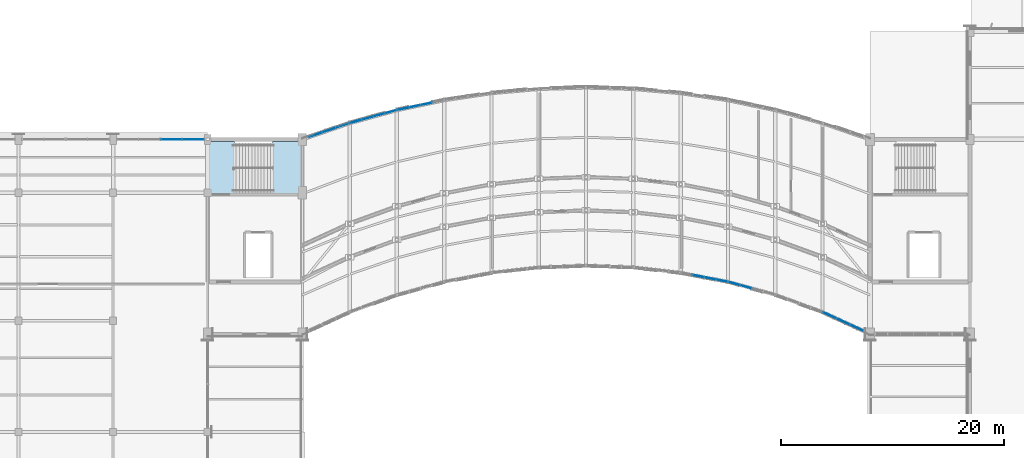
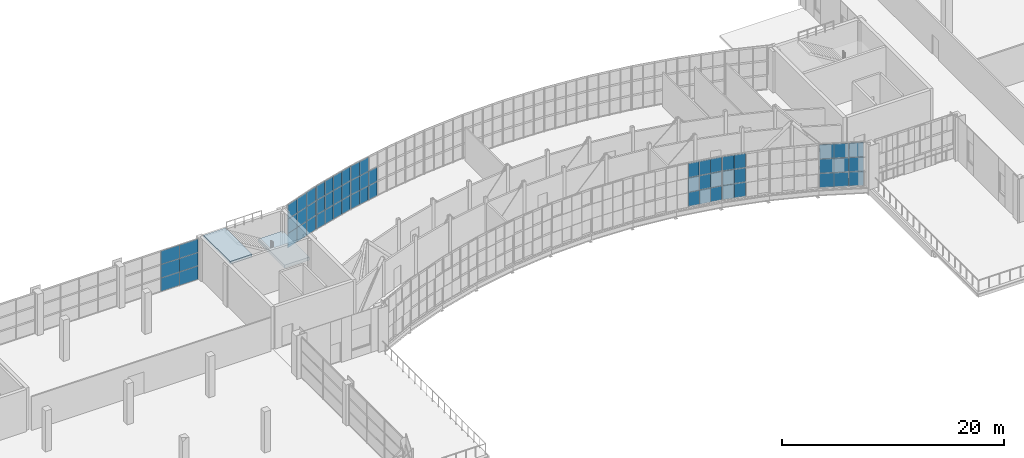
# One storey, part 59 of 86: 59 plates, 2 slabs, 8 elements without a shape of their own.
"""IFC4 building model written with IfcOpenShell, lengths in metres."""

import ifcopenshell
import ifcopenshell.guid

model = None  # the IFC model being written
_history = None  # IfcOwnerHistory: only IFC2X3 demands one
_inside = {}  # id of a spatial element -> (the spatial element, [elements in it])
_under = {}  # id of a project, library or spatial element -> (it, [spatial elements below it])
_declared = {}  # id of a project -> (the project, [libraries it declares])
_typed = {}  # id of a type object -> (the type object, [elements of that type])
_made_of = {}  # id of a material, layer set ... -> (it, [elements and type objects made of it])


def new_model(schema):
    """Start an empty IFC model of exactly this schema.

    Asked for "IFC4X3", IfcOpenShell would pick the latest addendum, in which some entities
    have other attributes; the version numbers below select the first issue.
    IFC2X3 requires an IfcOwnerHistory on every rooted entity: one is made here for all.
    """
    global model, _history
    if schema == "IFC4X3":
        model = ifcopenshell.file(schema_version=(4, 3, 0, 0))
    else:
        model = ifcopenshell.file(schema=schema)
    _inside.clear()
    _under.clear()
    _declared.clear()
    _typed.clear()
    _made_of.clear()
    _history = None
    if model.schema == "IFC2X3":
        org = make("IfcOrganization", Name="unknown")
        user = make(
            "IfcPersonAndOrganization",
            ThePerson=make("IfcPerson", FamilyName="unknown"),
            TheOrganization=org,
        )
        app = make(
            "IfcApplication",
            ApplicationDeveloper=org,
            Version="unknown",
            ApplicationFullName="unknown",
            ApplicationIdentifier="unknown",
        )
        _history = make(
            "IfcOwnerHistory",
            OwningUser=user,
            OwningApplication=app,
            ChangeAction="ADDED",
            CreationDate=0,
        )
    return model


def make(cls, **values):
    """One entity of the class cls with the attributes given. An attribute that is None is left unset."""
    return model.create_entity(
        cls, **{name: value for name, value in values.items() if value is not None}
    )


def rooted(cls, **values):
    """An entity with a GlobalId (a new one), such as an element, a storey or a relation."""
    return make(cls, GlobalId=ifcopenshell.guid.new(), OwnerHistory=_history, **values)


def si_unit(unit_type, name, prefix=None):
    """IfcSIUnit, for example si_unit("LENGTHUNIT", "METRE", prefix="MILLI")."""
    return make("IfcSIUnit", UnitType=unit_type, Prefix=prefix, Name=name)


def assignment(units):
    """IfcUnitAssignment: the units of a project."""
    return None if units is None else make("IfcUnitAssignment", Units=units)


def point(xyz):
    """IfcCartesianPoint."""
    return None if xyz is None else make("IfcCartesianPoint", Coordinates=xyz)


def direction(xyz):
    """IfcDirection."""
    return None if xyz is None else make("IfcDirection", DirectionRatios=xyz)


def frame(location, z_axis=None, x_axis=None):
    """IfcAxis2Placement3D, a coordinate frame: its origin and axes. An axis left out is left unset."""
    return make(
        "IfcAxis2Placement3D",
        Location=point(location),
        Axis=direction(z_axis),
        RefDirection=direction(x_axis),
    )


def frame_2d(location, x_axis=None):
    """IfcAxis2Placement2D, a coordinate frame in the plane: its origin and x axis."""
    return make(
        "IfcAxis2Placement2D", Location=point(location), RefDirection=direction(x_axis)
    )


def origin():
    """The frame at (0, 0, 0) with its axes left unset."""
    return frame((0.0, 0.0, 0.0))


def origin_2d():
    """The frame at (0, 0) in the plane with its x axis left unset."""
    return frame_2d((0.0, 0.0))


def place(relative_to, where):
    """IfcLocalPlacement: puts the frame where relative to a parent placement (None: the world)."""
    return make(
        "IfcLocalPlacement", PlacementRelTo=relative_to, RelativePlacement=where
    )


def context(
    kind, dimensions, precision=None, world=None, true_north=None, identifier=None
):
    """IfcGeometricRepresentationContext, for example the 3D "Model" context."""
    return make(
        "IfcGeometricRepresentationContext",
        ContextIdentifier=identifier,
        ContextType=kind,
        CoordinateSpaceDimension=dimensions,
        Precision=precision,
        WorldCoordinateSystem=world,
        TrueNorth=true_north,
    )


def subcontext(parent, identifier, kind, view, scale=None):
    """IfcGeometricRepresentationSubContext, for example "Body" below "Model"."""
    return make(
        "IfcGeometricRepresentationSubContext",
        ContextIdentifier=identifier,
        ContextType=kind,
        ParentContext=parent,
        TargetScale=scale,
        TargetView=view,
    )


def project(units=None, contexts=None):
    """IfcProject with its units and contexts."""
    return rooted(
        "IfcProject",
        Name="project",
        RepresentationContexts=contexts,
        UnitsInContext=assignment(units),
    )


def spatial(cls, under=None, at=None, **own):
    """A site, building, storey or space (cls), placed at a placement, below another one or the project."""
    s = rooted(cls, ObjectPlacement=at, **own)
    if under is not None:
        _under.setdefault(under.id(), (under, []))[1].append(s)
    return s


def polyline(points):
    """IfcPolyline through the points."""
    return make("IfcPolyline", Points=[point(p) for p in points])


def profile(cls, at=None, kind="AREA", **sizes):
    """A parametric profile (cls). Its sizes go by their IFC names, for example OverallWidth=200.0."""
    return make(cls, ProfileType=kind, Position=at, **sizes)


def rectangle(**sizes):
    """IfcRectangleProfileDef."""
    return profile("IfcRectangleProfileDef", **sizes)


def outline(outer, holes=None, kind="AREA"):
    """IfcArbitraryClosedProfileDef: a profile drawn as a closed curve; with holes, ...WithVoids."""
    if holes is None:
        return make("IfcArbitraryClosedProfileDef", ProfileType=kind, OuterCurve=outer)
    return make(
        "IfcArbitraryProfileDefWithVoids",
        ProfileType=kind,
        OuterCurve=outer,
        InnerCurves=holes,
    )


def extrude(swept, where, along, depth):
    """IfcExtrudedAreaSolid: the profile swept, set in the frame where, extruded along a direction by depth."""
    return make(
        "IfcExtrudedAreaSolid",
        SweptArea=swept,
        Position=where,
        ExtrudedDirection=direction(along),
        Depth=depth,
    )


def shape(context_of_items, identifier, shape_type, items):
    """IfcShapeRepresentation: the items that make up one representation, for example the "Body"."""
    return make(
        "IfcShapeRepresentation",
        ContextOfItems=context_of_items,
        RepresentationIdentifier=identifier,
        RepresentationType=shape_type,
        Items=items,
    )


def material(Name=None, Category=None):
    """IfcMaterial."""
    return make("IfcMaterial", Name=Name, Category=Category)


def layer(
    of_material, thickness, ventilated=None, Name=None, Category=None, Priority=None
):
    """IfcMaterialLayer: one layer of a wall or slab, of a material (None: an air gap)."""
    return make(
        "IfcMaterialLayer",
        Material=of_material,
        LayerThickness=thickness,
        IsVentilated=ventilated,
        Name=Name,
        Category=Category,
        Priority=Priority,
    )


def layer_set(layers, Name=None):
    """IfcMaterialLayerSet."""
    return make("IfcMaterialLayerSet", MaterialLayers=layers, LayerSetName=Name)


def made_of(thing, what):
    """Note that an element or type object is made of a material, layer set ...; save() writes the relation."""
    if what is not None:
        _made_of.setdefault(what.id(), (what, []))[1].append(thing)
    return thing


def type_object(cls, material=None, **own):
    """A type object (cls), such as IfcWallType, which elements share."""
    return made_of(rooted(cls, **own), material)


def element(
    cls,
    number,
    at=None,
    inside=None,
    cuts=None,
    type_object=None,
    material=None,
    context=None,
    identifier="Body",
    shape_type=None,
    held_by="IfcProductDefinitionShape",
    body=None,
    shapes=None,
    **own,
):
    """One element of the class cls, such as IfcWall. Its Tag is "e" and its number.

    at: its placement. inside: the storey or other place that contains it. cuts: it is an
    opening in that element (IfcRelVoidsElement). A single representation is given by context,
    identifier, shape_type and body (its items); several are given by shapes. held_by: the class
    of the entity that holds the representations. save() writes the other relations.
    """
    e = rooted(cls, Tag="e%d" % number, ObjectPlacement=at, **own)
    if body is not None:
        shapes = [shape(context, identifier, shape_type, body)]
    if shapes is not None:
        e.Representation = make(held_by, Representations=shapes)
    if inside is not None:
        _inside.setdefault(inside.id(), (inside, []))[1].append(e)
    if cuts is not None:
        rooted(
            "IfcRelVoidsElement", RelatingBuildingElement=cuts, RelatedOpeningElement=e
        )
    if type_object is not None:
        _typed.setdefault(type_object.id(), (type_object, []))[1].append(e)
    return made_of(e, material)


def aggregate(whole, parts):
    """IfcRelAggregates: a whole, such as a stair, and the parts it consists of."""
    return rooted("IfcRelAggregates", RelatingObject=whole, RelatedObjects=parts)


def save(model, path):
    """Write the relations noted so far, then the file.

    IfcRelAggregates (storeys below a building ...), IfcRelContainedInSpatialStructure (elements
    in a storey), IfcRelDefinesByType, IfcRelAssociatesMaterial and IfcRelDeclares: one each for
    every whole, place, type object, material and project.
    """
    for whole, parts in _under.values():
        aggregate(whole, parts)
    for where, things in _inside.values():
        rooted(
            "IfcRelContainedInSpatialStructure",
            RelatedElements=things,
            RelatingStructure=where,
        )
    for kind, things in _typed.values():
        rooted("IfcRelDefinesByType", RelatedObjects=things, RelatingType=kind)
    for what, things in _made_of.values():
        rooted("IfcRelAssociatesMaterial", RelatedObjects=things, RelatingMaterial=what)
    for by, libraries in _declared.values():
        rooted("IfcRelDeclares", RelatingContext=by, RelatedDefinitions=libraries)
    model.write(path)


model = new_model("IFC4")

# Units and contexts
model_context = context("Model", 3, precision=1e-05, world=origin(), true_north=direction((0.0, 1.0)))
body_context = subcontext(model_context, "Body", "Model", "MODEL_VIEW")
ifc_project = project(units=[si_unit("LENGTHUNIT", "METRE"), si_unit("AREAUNIT", "SQUARE_METRE"), si_unit("VOLUMEUNIT", "CUBIC_METRE"), si_unit("PLANEANGLEUNIT", "RADIAN"), si_unit("MASSUNIT", "GRAM", prefix="KILO")], contexts=[model_context])

# Site, building, storey
site_placement = place(None, origin())
site = spatial("IfcSite", under=ifc_project, at=site_placement, CompositionType="ELEMENT")
building_placement = place(site_placement, origin())
building = spatial("IfcBuilding", under=site, at=building_placement, Name="Solvikara Media Centre", CompositionType="ELEMENT")
storey_placement = place(building_placement, frame((0.0, 0.0, 15.0)))
storey = spatial("IfcBuildingStorey", under=building, at=storey_placement, Name="L03", CompositionType="ELEMENT", Elevation=15.0)

# Curtain wall, plates
ifc_material_1 = material(Name="Anodised aluminium EN AW-6063", Category="aluminium")
curtain_wall_type_1 = type_object("IfcCurtainWallType", Name="CW-01", PredefinedType="NOTDEFINED", material=ifc_material_1)
curtain_wall_1_placement = place(storey_placement, origin())
curtain_wall_1 = element("IfcCurtainWall", 1, at=curtain_wall_1_placement, inside=storey, type_object=curtain_wall_type_1, Name="CW-L03-SARC-08", PredefinedType="NOTDEFINED")
ifc_material_2 = material(Name="Laminated solar-control cyan vision glass", Category="glass")
ifc_layer_1 = layer(ifc_material_2, 0.035888671875)
ifc_layer_set_1 = layer_set([ifc_layer_1], Name="Laminated solar-control cyan vision glass")
plate_type_1 = type_object("IfcPlateType", Name="PN-01", PredefinedType="CURTAIN_PANEL", material=ifc_layer_set_1)
plate_1_placement = place(storey_placement, frame((112.10205078125, 24.508056640625, 1.62158203125), z_axis=(0.0, 0.0, 1.0), x_axis=(0.981843017659, -0.189695252114, 0.0)))
plate_1 = element("IfcPlate", 2, at=plate_1_placement, type_object=plate_type_1, Name="CW-L03-SARC-08-P0101", PredefinedType="CURTAIN_PANEL", context=body_context, shape_type="SweptSolid", body=[
    extrude(rectangle(XDim=1.034912109375, YDim=0.035888671875, at=origin_2d()), origin(), (0.0, 0.0, 1.0), 1.556884765625),
])
plate_2_placement = place(storey_placement, frame((114.193115234375, 24.10400390625, 0.03466796875), z_axis=(0.0, 0.0, 1.0), x_axis=(0.981843017659, -0.189695252114, 0.0)))
plate_2 = element("IfcPlate", 3, at=plate_2_placement, type_object=plate_type_1, Name="CW-L03-SARC-08-P0300", PredefinedType="CURTAIN_PANEL", context=body_context, shape_type="SweptSolid", body=[
    extrude(rectangle(XDim=1.034912109375, YDim=0.035888671875, at=origin_2d()), origin(), (0.0, 0.0, 1.0), 1.556884765625),
])
plate_3_placement = place(storey_placement, frame((114.193115234375, 24.10400390625, 1.62158203125), z_axis=(0.0, 0.0, 1.0), x_axis=(0.981843017659, -0.189695252114, 0.0)))
plate_3 = element("IfcPlate", 4, at=plate_3_placement, type_object=plate_type_1, Name="CW-L03-SARC-08-P0301", PredefinedType="CURTAIN_PANEL", context=body_context, shape_type="SweptSolid", body=[
    extrude(rectangle(XDim=1.034912109375, YDim=0.035888671875, at=origin_2d()), origin(), (0.0, 0.0, 1.0), 1.556884765625),
])
plate_4_placement = place(storey_placement, frame((114.193115234375, 24.10400390625, 3.20849609375), z_axis=(0.0, 0.0, 1.0), x_axis=(0.981843017659, -0.189695252114, 0.0)))
plate_4 = element("IfcPlate", 5, at=plate_4_placement, type_object=plate_type_1, Name="CW-L03-SARC-08-P0302", PredefinedType="CURTAIN_PANEL", context=body_context, shape_type="SweptSolid", body=[
    extrude(rectangle(XDim=1.034912109375, YDim=0.035888671875, at=origin_2d()), origin(), (0.0, 0.0, 1.0), 1.556884765625),
])

curtain_wall_2_placement = place(storey_placement, origin())
curtain_wall_2 = element("IfcCurtainWall", 6, at=curtain_wall_2_placement, inside=storey, type_object=curtain_wall_type_1, Name="CW-L03-SARC-09", PredefinedType="NOTDEFINED")
plate_5_placement = place(storey_placement, frame((115.305908203125, 23.843017578125, 0.03466796875), z_axis=(0.0, 0.0, 1.0), x_axis=(0.96397015682, -0.26601040724, 0.0)))
plate_5 = element("IfcPlate", 7, at=plate_5_placement, type_object=plate_type_1, Name="CW-L03-SARC-09-P0000", PredefinedType="CURTAIN_PANEL", context=body_context, shape_type="SweptSolid", body=[
    extrude(rectangle(XDim=1.054931640625, YDim=0.035888671875, at=origin_2d()), origin(), (0.0, 0.0, 1.0), 1.556884765625),
])
plate_6_placement = place(storey_placement, frame((116.35205078125, 23.553955078125, 0.03466796875), z_axis=(0.0, 0.0, 1.0), x_axis=(0.96397015682, -0.26601040724, 0.0)))
plate_6 = element("IfcPlate", 8, at=plate_6_placement, type_object=plate_type_1, Name="CW-L03-SARC-09-P0100", PredefinedType="CURTAIN_PANEL", context=body_context, shape_type="SweptSolid", body=[
    extrude(rectangle(XDim=1.054931640625, YDim=0.035888671875, at=origin_2d()), origin(), (0.0, 0.0, 1.0), 1.556884765625),
])

curtain_wall_3_placement = place(storey_placement, origin())
curtain_wall_3 = element("IfcCurtainWall", 9, at=curtain_wall_3_placement, inside=storey, type_object=curtain_wall_type_1, Name="CW-L03-SARC-11", PredefinedType="NOTDEFINED")
plate_7_placement = place(storey_placement, frame((123.888916015625, 20.985107421875, 1.62158203125), z_axis=(0.0, 0.0, 1.0), x_axis=(0.908566513921, -0.417740218056, 0.0)))
plate_7 = element("IfcPlate", 10, at=plate_7_placement, type_object=plate_type_1, Name="CW-L03-SARC-11-P0001", PredefinedType="CURTAIN_PANEL", context=body_context, shape_type="SweptSolid", body=[
    extrude(rectangle(XDim=1.306884765625, YDim=0.035888671875, at=origin_2d()), origin(), (0.0, 0.0, 1.0), 1.556884765625),
])
plate_8_placement = place(storey_placement, frame((125.10400390625, 20.426025390625, 1.62158203125), z_axis=(0.0, 0.0, 1.0), x_axis=(0.908566513921, -0.417740218056, 0.0)))
plate_8 = element("IfcPlate", 11, at=plate_8_placement, type_object=plate_type_1, Name="CW-L03-SARC-11-P0101", PredefinedType="CURTAIN_PANEL", context=body_context, shape_type="SweptSolid", body=[
    extrude(rectangle(XDim=1.306884765625, YDim=0.035888671875, at=origin_2d()), origin(), (0.0, 0.0, 1.0), 1.556884765625),
])
plate_9_placement = place(storey_placement, frame((126.318115234375, 19.867919921875, 0.03466796875), z_axis=(0.0, 0.0, 1.0), x_axis=(0.908566513921, -0.417740218056, 0.0)))
plate_9 = element("IfcPlate", 12, at=plate_9_placement, type_object=plate_type_1, Name="CW-L03-SARC-11-P0200", PredefinedType="CURTAIN_PANEL", context=body_context, shape_type="SweptSolid", body=[
    extrude(rectangle(XDim=1.306884765625, YDim=0.035888671875, at=origin_2d()), origin(), (0.0, 0.0, 1.0), 1.556884765625),
])
plate_10_placement = place(storey_placement, frame((126.318115234375, 19.867919921875, 3.20849609375), z_axis=(0.0, 0.0, 1.0), x_axis=(0.908566513921, -0.417740218056, 0.0)))
plate_10 = element("IfcPlate", 13, at=plate_10_placement, type_object=plate_type_1, Name="CW-L03-SARC-11-P0202", PredefinedType="CURTAIN_PANEL", context=body_context, shape_type="SweptSolid", body=[
    extrude(rectangle(XDim=1.306884765625, YDim=0.035888671875, at=origin_2d()), origin(), (0.0, 0.0, 1.0), 1.556884765625),
])

curtain_wall_type_2 = type_object("IfcCurtainWallType", Name="CW-02", PredefinedType="NOTDEFINED", material=ifc_material_1)
curtain_wall_4_placement = place(storey_placement, origin())
curtain_wall_4 = element("IfcCurtainWall", 14, at=curtain_wall_4_placement, inside=storey, type_object=curtain_wall_type_2, Name="CW-L03-NARC-00", PredefinedType="NOTDEFINED")
plate_11_placement = place(storey_placement, frame((77.674072265625, 37.202880859375, 0.03466796875), z_axis=(0.0, 0.0, 1.0), x_axis=(0.945717277442, 0.324990509319, 0.0)))
plate_11 = element("IfcPlate", 15, at=plate_11_placement, type_object=plate_type_1, Name="CW-L03-NARC-00-P0000", PredefinedType="CURTAIN_PANEL", context=body_context, shape_type="SweptSolid", body=[
    extrude(rectangle(XDim=1.257080078125, YDim=0.035888671875, at=origin_2d()), origin(), (0.0, 0.0, 1.0), 1.556884765625),
])
plate_12_placement = place(storey_placement, frame((77.674072265625, 37.202880859375, 1.62158203125), z_axis=(0.0, 0.0, 1.0), x_axis=(0.945717277442, 0.324990509319, 0.0)))
plate_12 = element("IfcPlate", 16, at=plate_12_placement, type_object=plate_type_1, Name="CW-L03-NARC-00-P0001", PredefinedType="CURTAIN_PANEL", context=body_context, shape_type="SweptSolid", body=[
    extrude(rectangle(XDim=1.257080078125, YDim=0.035888671875, at=origin_2d()), origin(), (0.0, 0.0, 1.0), 1.556884765625),
])
plate_13_placement = place(storey_placement, frame((77.674072265625, 37.202880859375, 3.20849609375), z_axis=(0.0, 0.0, 1.0), x_axis=(0.945717277442, 0.324990509319, 0.0)))
plate_13 = element("IfcPlate", 17, at=plate_13_placement, type_object=plate_type_1, Name="CW-L03-NARC-00-P0002", PredefinedType="CURTAIN_PANEL", context=body_context, shape_type="SweptSolid", body=[
    extrude(rectangle(XDim=1.257080078125, YDim=0.035888671875, at=origin_2d()), origin(), (0.0, 0.0, 1.0), 1.556884765625),
])
plate_14_placement = place(storey_placement, frame((78.89111328125, 37.6220703125, 1.62158203125), z_axis=(0.0, 0.0, 1.0), x_axis=(0.945717277442, 0.324990509319, 0.0)))
plate_14 = element("IfcPlate", 18, at=plate_14_placement, type_object=plate_type_1, Name="CW-L03-NARC-00-P0101", PredefinedType="CURTAIN_PANEL", context=body_context, shape_type="SweptSolid", body=[
    extrude(rectangle(XDim=1.257080078125, YDim=0.035888671875, at=origin_2d()), origin(), (0.0, 0.0, 1.0), 1.556884765625),
])
plate_15_placement = place(storey_placement, frame((78.89111328125, 37.6220703125, 3.20849609375), z_axis=(0.0, 0.0, 1.0), x_axis=(0.945717277442, 0.324990509319, 0.0)))
plate_15 = element("IfcPlate", 19, at=plate_15_placement, type_object=plate_type_1, Name="CW-L03-NARC-00-P0102", PredefinedType="CURTAIN_PANEL", context=body_context, shape_type="SweptSolid", body=[
    extrude(rectangle(XDim=1.257080078125, YDim=0.035888671875, at=origin_2d()), origin(), (0.0, 0.0, 1.0), 1.556884765625),
])

curtain_wall_5_placement = place(storey_placement, origin())
curtain_wall_5 = element("IfcCurtainWall", 20, at=curtain_wall_5_placement, inside=storey, type_object=curtain_wall_type_2, Name="CW-L03-NARC-01", PredefinedType="NOTDEFINED")
plate_16_placement = place(storey_placement, frame((81.306884765625, 38.4130859375, 1.62158203125), z_axis=(0.0, 0.0, 1.0), x_axis=(0.964030487854, 0.265791682504, 0.0)))
plate_16 = element("IfcPlate", 21, at=plate_16_placement, type_object=plate_type_1, Name="CW-L03-NARC-01-P0001", PredefinedType="CURTAIN_PANEL", context=body_context, shape_type="SweptSolid", body=[
    extrude(rectangle(XDim=1.054931640625, YDim=0.035888671875, at=origin_2d()), origin(), (0.0, 0.0, 1.0), 1.556884765625),
])
plate_17_placement = place(storey_placement, frame((83.39697265625, 38.989990234375, 0.03466796875), z_axis=(0.0, 0.0, 1.0), x_axis=(0.964030487854, 0.265791682504, 0.0)))
plate_17 = element("IfcPlate", 22, at=plate_17_placement, type_object=plate_type_1, Name="CW-L03-NARC-01-P0200", PredefinedType="CURTAIN_PANEL", context=body_context, shape_type="SweptSolid", body=[
    extrude(rectangle(XDim=1.054931640625, YDim=0.035888671875, at=origin_2d()), origin(), (0.0, 0.0, 1.0), 1.556884765625),
])
plate_18_placement = place(storey_placement, frame((83.39697265625, 38.989990234375, 3.20849609375), z_axis=(0.0, 0.0, 1.0), x_axis=(0.964030487854, 0.265791682504, 0.0)))
plate_18 = element("IfcPlate", 23, at=plate_18_placement, type_object=plate_type_1, Name="CW-L03-NARC-01-P0202", PredefinedType="CURTAIN_PANEL", context=body_context, shape_type="SweptSolid", body=[
    extrude(rectangle(XDim=1.054931640625, YDim=0.035888671875, at=origin_2d()), origin(), (0.0, 0.0, 1.0), 1.556884765625),
])
plate_19_placement = place(storey_placement, frame((84.443115234375, 39.278076171875, 0.03466796875), z_axis=(0.0, 0.0, 1.0), x_axis=(0.964030487854, 0.265791682504, 0.0)))
plate_19 = element("IfcPlate", 24, at=plate_19_placement, type_object=plate_type_1, Name="CW-L03-NARC-01-P0300", PredefinedType="CURTAIN_PANEL", context=body_context, shape_type="SweptSolid", body=[
    extrude(rectangle(XDim=1.054931640625, YDim=0.035888671875, at=origin_2d()), origin(), (0.0, 0.0, 1.0), 1.556884765625),
])
plate_20_placement = place(storey_placement, frame((84.443115234375, 39.278076171875, 3.20849609375), z_axis=(0.0, 0.0, 1.0), x_axis=(0.964030487854, 0.265791682504, 0.0)))
plate_20 = element("IfcPlate", 25, at=plate_20_placement, type_object=plate_type_1, Name="CW-L03-NARC-01-P0302", PredefinedType="CURTAIN_PANEL", context=body_context, shape_type="SweptSolid", body=[
    extrude(rectangle(XDim=1.054931640625, YDim=0.035888671875, at=origin_2d()), origin(), (0.0, 0.0, 1.0), 1.556884765625),
])

curtain_wall_6_placement = place(storey_placement, origin())
curtain_wall_6 = element("IfcCurtainWall", 26, at=curtain_wall_6_placement, inside=storey, type_object=curtain_wall_type_2, Name="CW-L03-NARC-02", PredefinedType="NOTDEFINED")
plate_21_placement = place(storey_placement, frame((85.555908203125, 39.548095703125, 3.20849609375), z_axis=(0.0, 0.0, 1.0), x_axis=(0.97837923005, 0.206818959981, 0.0)))
plate_21 = element("IfcPlate", 27, at=plate_21_placement, type_object=plate_type_1, Name="CW-L03-NARC-02-P0002", PredefinedType="CURTAIN_PANEL", context=body_context, shape_type="SweptSolid", body=[
    extrude(rectangle(XDim=1.0390625, YDim=0.035888671875, at=origin_2d()), origin(), (0.0, 0.0, 1.0), 1.556884765625),
])
plate_22_placement = place(storey_placement, frame((86.60205078125, 39.77001953125, 0.03466796875), z_axis=(0.0, 0.0, 1.0), x_axis=(0.97837923005, 0.206818959981, 0.0)))
plate_22 = element("IfcPlate", 28, at=plate_22_placement, type_object=plate_type_1, Name="CW-L03-NARC-02-P0100", PredefinedType="CURTAIN_PANEL", context=body_context, shape_type="SweptSolid", body=[
    extrude(rectangle(XDim=1.0390625, YDim=0.035888671875, at=origin_2d()), origin(), (0.0, 0.0, 1.0), 1.556884765625),
])
plate_23_placement = place(storey_placement, frame((87.64794921875, 39.990966796875, 0.03466796875), z_axis=(0.0, 0.0, 1.0), x_axis=(0.97837923005, 0.206818959981, 0.0)))
plate_23 = element("IfcPlate", 29, at=plate_23_placement, type_object=plate_type_1, Name="CW-L03-NARC-02-P0200", PredefinedType="CURTAIN_PANEL", context=body_context, shape_type="SweptSolid", body=[
    extrude(rectangle(XDim=1.0390625, YDim=0.035888671875, at=origin_2d()), origin(), (0.0, 0.0, 1.0), 1.556884765625),
])

# Plate
ifc_material_3 = material(Name="Ceramic-fritted teal low-E glass", Category="glass")
ifc_layer_2 = layer(ifc_material_3, 0.0419921875)
ifc_layer_set_2 = layer_set([ifc_layer_2], Name="Ceramic-fritted teal low-E glass")
plate_type_2 = type_object("IfcPlateType", Name="PN-02", PredefinedType="CURTAIN_PANEL", material=ifc_layer_set_2)
plate_24_placement = place(storey_placement, frame((112.10205078125, 24.508056640625, 3.20849609375), z_axis=(0.0, 0.0, 1.0), x_axis=(0.981843017659, -0.189695252114, 0.0)))
plate_24 = element("IfcPlate", 30, at=plate_24_placement, type_object=plate_type_2, Name="CW-L03-SARC-08-P0102", PredefinedType="CURTAIN_PANEL", context=body_context, shape_type="SweptSolid", body=[
    extrude(rectangle(XDim=1.034912109375, YDim=0.0419921875, at=origin_2d()), origin(), (0.0, 0.0, 1.0), 1.556884765625),
])

plate_25_placement = place(storey_placement, frame((113.14794921875, 24.305908203125, 0.03466796875), z_axis=(0.0, 0.0, 1.0), x_axis=(0.981843017659, -0.189695252114, 0.0)))
plate_25 = element("IfcPlate", 31, at=plate_25_placement, type_object=plate_type_2, Name="CW-L03-SARC-08-P0200", PredefinedType="CURTAIN_PANEL", context=body_context, shape_type="SweptSolid", body=[
    extrude(rectangle(XDim=1.034912109375, YDim=0.0419921875, at=origin_2d()), origin(), (0.0, 0.0, 1.0), 1.556884765625),
])

plate_26_placement = place(storey_placement, frame((116.35205078125, 23.553955078125, 1.62158203125), z_axis=(0.0, 0.0, 1.0), x_axis=(0.96397015682, -0.26601040724, 0.0)))
plate_26 = element("IfcPlate", 32, at=plate_26_placement, type_object=plate_type_2, Name="CW-L03-SARC-09-P0101", PredefinedType="CURTAIN_PANEL", context=body_context, shape_type="SweptSolid", body=[
    extrude(rectangle(XDim=1.054931640625, YDim=0.0419921875, at=origin_2d()), origin(), (0.0, 0.0, 1.0), 1.556884765625),
])

plate_27_placement = place(storey_placement, frame((116.35205078125, 23.553955078125, 3.20849609375), z_axis=(0.0, 0.0, 1.0), x_axis=(0.96397015682, -0.26601040724, 0.0)))
plate_27 = element("IfcPlate", 33, at=plate_27_placement, type_object=plate_type_2, Name="CW-L03-SARC-09-P0102", PredefinedType="CURTAIN_PANEL", context=body_context, shape_type="SweptSolid", body=[
    extrude(rectangle(XDim=1.054931640625, YDim=0.0419921875, at=origin_2d()), origin(), (0.0, 0.0, 1.0), 1.556884765625),
])

plate_28_placement = place(storey_placement, frame((123.888916015625, 20.985107421875, 3.20849609375), z_axis=(0.0, 0.0, 1.0), x_axis=(0.908566513921, -0.417740218056, 0.0)))
plate_28 = element("IfcPlate", 34, at=plate_28_placement, type_object=plate_type_2, Name="CW-L03-SARC-11-P0002", PredefinedType="CURTAIN_PANEL", context=body_context, shape_type="SweptSolid", body=[
    extrude(rectangle(XDim=1.306884765625, YDim=0.0419921875, at=origin_2d()), origin(), (0.0, 0.0, 1.0), 1.556884765625),
])

plate_29_placement = place(storey_placement, frame((125.10400390625, 20.426025390625, 0.03466796875), z_axis=(0.0, 0.0, 1.0), x_axis=(0.908566513921, -0.417740218056, 0.0)))
plate_29 = element("IfcPlate", 35, at=plate_29_placement, type_object=plate_type_2, Name="CW-L03-SARC-11-P0100", PredefinedType="CURTAIN_PANEL", context=body_context, shape_type="SweptSolid", body=[
    extrude(rectangle(XDim=1.306884765625, YDim=0.0419921875, at=origin_2d()), origin(), (0.0, 0.0, 1.0), 1.556884765625),
])

plate_30_placement = place(storey_placement, frame((78.89111328125, 37.6220703125, 0.03466796875), z_axis=(0.0, 0.0, 1.0), x_axis=(0.945717277442, 0.324990509319, 0.0)))
plate_30 = element("IfcPlate", 36, at=plate_30_placement, type_object=plate_type_2, Name="CW-L03-NARC-00-P0100", PredefinedType="CURTAIN_PANEL", context=body_context, shape_type="SweptSolid", body=[
    extrude(rectangle(XDim=1.257080078125, YDim=0.0419921875, at=origin_2d()), origin(), (0.0, 0.0, 1.0), 1.556884765625),
])

plate_31_placement = place(storey_placement, frame((80.10791015625, 38.0400390625, 0.03466796875), z_axis=(0.0, 0.0, 1.0), x_axis=(0.945717277442, 0.324990509319, 0.0)))
plate_31 = element("IfcPlate", 37, at=plate_31_placement, type_object=plate_type_2, Name="CW-L03-NARC-00-P0200", PredefinedType="CURTAIN_PANEL", context=body_context, shape_type="SweptSolid", body=[
    extrude(rectangle(XDim=1.257080078125, YDim=0.0419921875, at=origin_2d()), origin(), (0.0, 0.0, 1.0), 1.556884765625),
])

plate_32_placement = place(storey_placement, frame((80.10791015625, 38.0400390625, 1.62158203125), z_axis=(0.0, 0.0, 1.0), x_axis=(0.945717277442, 0.324990509319, 0.0)))
plate_32 = element("IfcPlate", 38, at=plate_32_placement, type_object=plate_type_2, Name="CW-L03-NARC-00-P0201", PredefinedType="CURTAIN_PANEL", context=body_context, shape_type="SweptSolid", body=[
    extrude(rectangle(XDim=1.257080078125, YDim=0.0419921875, at=origin_2d()), origin(), (0.0, 0.0, 1.0), 1.556884765625),
])

plate_33_placement = place(storey_placement, frame((80.10791015625, 38.0400390625, 3.20849609375), z_axis=(0.0, 0.0, 1.0), x_axis=(0.945717277442, 0.324990509319, 0.0)))
plate_33 = element("IfcPlate", 39, at=plate_33_placement, type_object=plate_type_2, Name="CW-L03-NARC-00-P0202", PredefinedType="CURTAIN_PANEL", context=body_context, shape_type="SweptSolid", body=[
    extrude(rectangle(XDim=1.257080078125, YDim=0.0419921875, at=origin_2d()), origin(), (0.0, 0.0, 1.0), 1.556884765625),
])

aggregate(curtain_wall_4, [plate_11, plate_12, plate_13, plate_30, plate_14, plate_15, plate_31, plate_32, plate_33])

plate_34_placement = place(storey_placement, frame((81.306884765625, 38.4130859375, 3.20849609375), z_axis=(0.0, 0.0, 1.0), x_axis=(0.964030487854, 0.265791682504, 0.0)))
plate_34 = element("IfcPlate", 40, at=plate_34_placement, type_object=plate_type_2, Name="CW-L03-NARC-01-P0002", PredefinedType="CURTAIN_PANEL", context=body_context, shape_type="SweptSolid", body=[
    extrude(rectangle(XDim=1.054931640625, YDim=0.0419921875, at=origin_2d()), origin(), (0.0, 0.0, 1.0), 1.556884765625),
])

plate_35_placement = place(storey_placement, frame((82.35205078125, 38.700927734375, 0.03466796875), z_axis=(0.0, 0.0, 1.0), x_axis=(0.964030487854, 0.265791682504, 0.0)))
plate_35 = element("IfcPlate", 41, at=plate_35_placement, type_object=plate_type_2, Name="CW-L03-NARC-01-P0100", PredefinedType="CURTAIN_PANEL", context=body_context, shape_type="SweptSolid", body=[
    extrude(rectangle(XDim=1.054931640625, YDim=0.0419921875, at=origin_2d()), origin(), (0.0, 0.0, 1.0), 1.556884765625),
])

plate_36_placement = place(storey_placement, frame((82.35205078125, 38.700927734375, 1.62158203125), z_axis=(0.0, 0.0, 1.0), x_axis=(0.964030487854, 0.265791682504, 0.0)))
plate_36 = element("IfcPlate", 42, at=plate_36_placement, type_object=plate_type_2, Name="CW-L03-NARC-01-P0101", PredefinedType="CURTAIN_PANEL", context=body_context, shape_type="SweptSolid", body=[
    extrude(rectangle(XDim=1.054931640625, YDim=0.0419921875, at=origin_2d()), origin(), (0.0, 0.0, 1.0), 1.556884765625),
])

plate_37_placement = place(storey_placement, frame((82.35205078125, 38.700927734375, 3.20849609375), z_axis=(0.0, 0.0, 1.0), x_axis=(0.964030487854, 0.265791682504, 0.0)))
plate_37 = element("IfcPlate", 43, at=plate_37_placement, type_object=plate_type_2, Name="CW-L03-NARC-01-P0102", PredefinedType="CURTAIN_PANEL", context=body_context, shape_type="SweptSolid", body=[
    extrude(rectangle(XDim=1.054931640625, YDim=0.0419921875, at=origin_2d()), origin(), (0.0, 0.0, 1.0), 1.556884765625),
])

plate_38_placement = place(storey_placement, frame((83.39697265625, 38.989990234375, 1.62158203125), z_axis=(0.0, 0.0, 1.0), x_axis=(0.964030487854, 0.265791682504, 0.0)))
plate_38 = element("IfcPlate", 44, at=plate_38_placement, type_object=plate_type_2, Name="CW-L03-NARC-01-P0201", PredefinedType="CURTAIN_PANEL", context=body_context, shape_type="SweptSolid", body=[
    extrude(rectangle(XDim=1.054931640625, YDim=0.0419921875, at=origin_2d()), origin(), (0.0, 0.0, 1.0), 1.556884765625),
])

plate_39_placement = place(storey_placement, frame((84.443115234375, 39.278076171875, 1.62158203125), z_axis=(0.0, 0.0, 1.0), x_axis=(0.964030487854, 0.265791682504, 0.0)))
plate_39 = element("IfcPlate", 45, at=plate_39_placement, type_object=plate_type_2, Name="CW-L03-NARC-01-P0301", PredefinedType="CURTAIN_PANEL", context=body_context, shape_type="SweptSolid", body=[
    extrude(rectangle(XDim=1.054931640625, YDim=0.0419921875, at=origin_2d()), origin(), (0.0, 0.0, 1.0), 1.556884765625),
])

plate_40_placement = place(storey_placement, frame((85.555908203125, 39.548095703125, 0.03466796875), z_axis=(0.0, 0.0, 1.0), x_axis=(0.97837923005, 0.206818959981, 0.0)))
plate_40 = element("IfcPlate", 46, at=plate_40_placement, type_object=plate_type_2, Name="CW-L03-NARC-02-P0000", PredefinedType="CURTAIN_PANEL", context=body_context, shape_type="SweptSolid", body=[
    extrude(rectangle(XDim=1.0390625, YDim=0.0419921875, at=origin_2d()), origin(), (0.0, 0.0, 1.0), 1.556884765625),
])

plate_41_placement = place(storey_placement, frame((86.60205078125, 39.77001953125, 1.62158203125), z_axis=(0.0, 0.0, 1.0), x_axis=(0.97837923005, 0.206818959981, 0.0)))
plate_41 = element("IfcPlate", 47, at=plate_41_placement, type_object=plate_type_2, Name="CW-L03-NARC-02-P0101", PredefinedType="CURTAIN_PANEL", context=body_context, shape_type="SweptSolid", body=[
    extrude(rectangle(XDim=1.0390625, YDim=0.0419921875, at=origin_2d()), origin(), (0.0, 0.0, 1.0), 1.556884765625),
])

plate_42_placement = place(storey_placement, frame((86.60205078125, 39.77001953125, 3.20849609375), z_axis=(0.0, 0.0, 1.0), x_axis=(0.97837923005, 0.206818959981, 0.0)))
plate_42 = element("IfcPlate", 48, at=plate_42_placement, type_object=plate_type_2, Name="CW-L03-NARC-02-P0102", PredefinedType="CURTAIN_PANEL", context=body_context, shape_type="SweptSolid", body=[
    extrude(rectangle(XDim=1.0390625, YDim=0.0419921875, at=origin_2d()), origin(), (0.0, 0.0, 1.0), 1.556884765625),
])

plate_43_placement = place(storey_placement, frame((87.64794921875, 39.990966796875, 1.62158203125), z_axis=(0.0, 0.0, 1.0), x_axis=(0.97837923005, 0.206818959981, 0.0)))
plate_43 = element("IfcPlate", 49, at=plate_43_placement, type_object=plate_type_2, Name="CW-L03-NARC-02-P0201", PredefinedType="CURTAIN_PANEL", context=body_context, shape_type="SweptSolid", body=[
    extrude(rectangle(XDim=1.0390625, YDim=0.0419921875, at=origin_2d()), origin(), (0.0, 0.0, 1.0), 1.556884765625),
])

ifc_material_4 = material(Name="Insulated silver-pearl glass spandrel panel", Category="glass")
ifc_layer_3 = layer(ifc_material_4, 0.054931640625)
ifc_layer_set_3 = layer_set([ifc_layer_3], Name="Insulated silver-pearl glass spandrel panel")
plate_type_3 = type_object("IfcPlateType", Name="PN-03", PredefinedType="CURTAIN_PANEL", material=ifc_layer_set_3)
plate_44_placement = place(storey_placement, frame((112.10205078125, 24.508056640625, 0.03466796875), z_axis=(0.0, 0.0, 1.0), x_axis=(0.981843017659, -0.189695252114, 0.0)))
plate_44 = element("IfcPlate", 50, at=plate_44_placement, type_object=plate_type_3, Name="CW-L03-SARC-08-P0100", PredefinedType="CURTAIN_PANEL", context=body_context, shape_type="SweptSolid", body=[
    extrude(rectangle(XDim=1.034912109375, YDim=0.054931640625, at=origin_2d()), origin(), (0.0, 0.0, 1.0), 1.556884765625),
])

plate_45_placement = place(storey_placement, frame((113.14794921875, 24.305908203125, 1.62158203125), z_axis=(0.0, 0.0, 1.0), x_axis=(0.981843017659, -0.189695252114, 0.0)))
plate_45 = element("IfcPlate", 51, at=plate_45_placement, type_object=plate_type_3, Name="CW-L03-SARC-08-P0201", PredefinedType="CURTAIN_PANEL", context=body_context, shape_type="SweptSolid", body=[
    extrude(rectangle(XDim=1.034912109375, YDim=0.054931640625, at=origin_2d()), origin(), (0.0, 0.0, 1.0), 1.556884765625),
])

plate_46_placement = place(storey_placement, frame((113.14794921875, 24.305908203125, 3.20849609375), z_axis=(0.0, 0.0, 1.0), x_axis=(0.981843017659, -0.189695252114, 0.0)))
plate_46 = element("IfcPlate", 52, at=plate_46_placement, type_object=plate_type_3, Name="CW-L03-SARC-08-P0202", PredefinedType="CURTAIN_PANEL", context=body_context, shape_type="SweptSolid", body=[
    extrude(rectangle(XDim=1.034912109375, YDim=0.054931640625, at=origin_2d()), origin(), (0.0, 0.0, 1.0), 1.556884765625),
])

aggregate(curtain_wall_1, [plate_44, plate_1, plate_24, plate_25, plate_45, plate_46, plate_2, plate_3, plate_4])

plate_47_placement = place(storey_placement, frame((115.305908203125, 23.843017578125, 1.62158203125), z_axis=(0.0, 0.0, 1.0), x_axis=(0.96397015682, -0.26601040724, 0.0)))
plate_47 = element("IfcPlate", 53, at=plate_47_placement, type_object=plate_type_3, Name="CW-L03-SARC-09-P0001", PredefinedType="CURTAIN_PANEL", context=body_context, shape_type="SweptSolid", body=[
    extrude(rectangle(XDim=1.054931640625, YDim=0.054931640625, at=origin_2d()), origin(), (0.0, 0.0, 1.0), 1.556884765625),
])

plate_48_placement = place(storey_placement, frame((115.305908203125, 23.843017578125, 3.20849609375), z_axis=(0.0, 0.0, 1.0), x_axis=(0.96397015682, -0.26601040724, 0.0)))
plate_48 = element("IfcPlate", 54, at=plate_48_placement, type_object=plate_type_3, Name="CW-L03-SARC-09-P0002", PredefinedType="CURTAIN_PANEL", context=body_context, shape_type="SweptSolid", body=[
    extrude(rectangle(XDim=1.054931640625, YDim=0.054931640625, at=origin_2d()), origin(), (0.0, 0.0, 1.0), 1.556884765625),
])

aggregate(curtain_wall_2, [plate_5, plate_47, plate_48, plate_6, plate_26, plate_27])

plate_49_placement = place(storey_placement, frame((123.888916015625, 20.985107421875, 0.03466796875), z_axis=(0.0, 0.0, 1.0), x_axis=(0.908566513921, -0.417740218056, 0.0)))
plate_49 = element("IfcPlate", 55, at=plate_49_placement, type_object=plate_type_3, Name="CW-L03-SARC-11-P0000", PredefinedType="CURTAIN_PANEL", context=body_context, shape_type="SweptSolid", body=[
    extrude(rectangle(XDim=1.306884765625, YDim=0.054931640625, at=origin_2d()), origin(), (0.0, 0.0, 1.0), 1.556884765625),
])

plate_50_placement = place(storey_placement, frame((125.10400390625, 20.426025390625, 3.20849609375), z_axis=(0.0, 0.0, 1.0), x_axis=(0.908566513921, -0.417740218056, 0.0)))
plate_50 = element("IfcPlate", 56, at=plate_50_placement, type_object=plate_type_3, Name="CW-L03-SARC-11-P0102", PredefinedType="CURTAIN_PANEL", context=body_context, shape_type="SweptSolid", body=[
    extrude(rectangle(XDim=1.306884765625, YDim=0.054931640625, at=origin_2d()), origin(), (0.0, 0.0, 1.0), 1.556884765625),
])

plate_51_placement = place(storey_placement, frame((126.318115234375, 19.867919921875, 1.62158203125), z_axis=(0.0, 0.0, 1.0), x_axis=(0.908566513921, -0.417740218056, 0.0)))
plate_51 = element("IfcPlate", 57, at=plate_51_placement, type_object=plate_type_3, Name="CW-L03-SARC-11-P0201", PredefinedType="CURTAIN_PANEL", context=body_context, shape_type="SweptSolid", body=[
    extrude(rectangle(XDim=1.306884765625, YDim=0.054931640625, at=origin_2d()), origin(), (0.0, 0.0, 1.0), 1.556884765625),
])

aggregate(curtain_wall_3, [plate_49, plate_7, plate_28, plate_29, plate_8, plate_50, plate_9, plate_51, plate_10])

plate_52_placement = place(storey_placement, frame((81.306884765625, 38.4130859375, 0.03466796875), z_axis=(0.0, 0.0, 1.0), x_axis=(0.964030487854, 0.265791682504, 0.0)))
plate_52 = element("IfcPlate", 58, at=plate_52_placement, type_object=plate_type_3, Name="CW-L03-NARC-01-P0000", PredefinedType="CURTAIN_PANEL", context=body_context, shape_type="SweptSolid", body=[
    extrude(rectangle(XDim=1.054931640625, YDim=0.054931640625, at=origin_2d()), origin(), (0.0, 0.0, 1.0), 1.556884765625),
])

aggregate(curtain_wall_5, [plate_52, plate_16, plate_34, plate_35, plate_36, plate_37, plate_17, plate_38, plate_18, plate_19, plate_39, plate_20])

plate_53_placement = place(storey_placement, frame((85.555908203125, 39.548095703125, 1.62158203125), z_axis=(0.0, 0.0, 1.0), x_axis=(0.97837923005, 0.206818959981, 0.0)))
plate_53 = element("IfcPlate", 59, at=plate_53_placement, type_object=plate_type_3, Name="CW-L03-NARC-02-P0001", PredefinedType="CURTAIN_PANEL", context=body_context, shape_type="SweptSolid", body=[
    extrude(rectangle(XDim=1.0390625, YDim=0.054931640625, at=origin_2d()), origin(), (0.0, 0.0, 1.0), 1.556884765625),
])

aggregate(curtain_wall_6, [plate_40, plate_53, plate_21, plate_22, plate_41, plate_42, plate_23, plate_43])

# Curtain wall, plates
curtain_wall_type_3 = type_object("IfcCurtainWallType", Name="CW-05", PredefinedType="NOTDEFINED", material=ifc_material_1)
curtain_wall_7_placement = place(storey_placement, origin())
curtain_wall_7 = element("IfcCurtainWall", 60, at=curtain_wall_7_placement, inside=storey, type_object=curtain_wall_type_3, Name="CW-L03-V6N-3", PredefinedType="NOTDEFINED")
ifc_layer_4 = layer(ifc_material_3, 0.0380859375)
ifc_layer_set_4 = layer_set([ifc_layer_4], Name="Ceramic-fritted teal low-E glass")
plate_type_4 = type_object("IfcPlateType", Name="PN-08", PredefinedType="CURTAIN_PANEL", material=ifc_layer_set_4)
plate_54_placement = place(storey_placement, frame((64.72705078125, 36.800048828125, 0.034423828125), z_axis=(0.0, 0.0, 1.0), x_axis=(1.0, 0.0, 0.0)))
plate_54 = element("IfcPlate", 61, at=plate_54_placement, type_object=plate_type_4, Name="CW-L03-V6N-3-P0200", PredefinedType="CURTAIN_PANEL", context=body_context, shape_type="SweptSolid", body=[
    extrude(rectangle(XDim=1.925048828125, YDim=0.0380859375, at=origin_2d()), origin(), (0.0, 0.0, 1.0), 1.45703125),
])
plate_55_placement = place(storey_placement, frame((64.72705078125, 36.800048828125, 3.008544921875), z_axis=(0.0, 0.0, 1.0), x_axis=(1.0, 0.0, 0.0)))
plate_55 = element("IfcPlate", 62, at=plate_55_placement, type_object=plate_type_4, Name="CW-L03-V6N-3-P0202", PredefinedType="CURTAIN_PANEL", context=body_context, shape_type="SweptSolid", body=[
    extrude(rectangle(XDim=1.925048828125, YDim=0.0380859375, at=origin_2d()), origin(), (0.0, 0.0, 1.0), 1.45703125),
])
plate_56_placement = place(storey_placement, frame((66.681884765625, 36.800048828125, 1.521484375), z_axis=(0.0, 0.0, 1.0), x_axis=(1.0, 0.0, 0.0)))
plate_56 = element("IfcPlate", 63, at=plate_56_placement, type_object=plate_type_4, Name="CW-L03-V6N-3-P0301", PredefinedType="CURTAIN_PANEL", context=body_context, shape_type="SweptSolid", body=[
    extrude(rectangle(XDim=1.925048828125, YDim=0.0380859375, at=origin_2d()), origin(), (0.0, 0.0, 1.0), 1.45703125),
])
ifc_layer_5 = layer(ifc_material_4, 0.054931640625)
ifc_layer_set_5 = layer_set([ifc_layer_5], Name="Insulated silver-pearl glass spandrel panel")
plate_type_5 = type_object("IfcPlateType", Name="PN-09", PredefinedType="CURTAIN_PANEL", material=ifc_layer_set_5)
plate_57_placement = place(storey_placement, frame((64.72705078125, 36.800048828125, 1.521484375), z_axis=(0.0, 0.0, 1.0), x_axis=(1.0, 0.0, 0.0)))
plate_57 = element("IfcPlate", 64, at=plate_57_placement, type_object=plate_type_5, Name="CW-L03-V6N-3-P0201", PredefinedType="CURTAIN_PANEL", context=body_context, shape_type="SweptSolid", body=[
    extrude(rectangle(XDim=1.925048828125, YDim=0.054931640625, at=origin_2d()), origin(), (0.0, 0.0, 1.0), 1.45703125),
])
plate_58_placement = place(storey_placement, frame((66.681884765625, 36.800048828125, 0.034423828125), z_axis=(0.0, 0.0, 1.0), x_axis=(1.0, 0.0, 0.0)))
plate_58 = element("IfcPlate", 65, at=plate_58_placement, type_object=plate_type_5, Name="CW-L03-V6N-3-P0300", PredefinedType="CURTAIN_PANEL", context=body_context, shape_type="SweptSolid", body=[
    extrude(rectangle(XDim=1.925048828125, YDim=0.054931640625, at=origin_2d()), origin(), (0.0, 0.0, 1.0), 1.45703125),
])
plate_59_placement = place(storey_placement, frame((66.681884765625, 36.800048828125, 3.008544921875), z_axis=(0.0, 0.0, 1.0), x_axis=(1.0, 0.0, 0.0)))
plate_59 = element("IfcPlate", 66, at=plate_59_placement, type_object=plate_type_5, Name="CW-L03-V6N-3-P0302", PredefinedType="CURTAIN_PANEL", context=body_context, shape_type="SweptSolid", body=[
    extrude(rectangle(XDim=1.925048828125, YDim=0.054931640625, at=origin_2d()), origin(), (0.0, 0.0, 1.0), 1.45703125),
])
aggregate(curtain_wall_7, [plate_54, plate_57, plate_55, plate_58, plate_56, plate_59])

# Stair, slabs
ifc_material_5 = material(Name="Concrete fc' 35 MPa (C35/45)", Category="concrete")
stair_type = type_object("IfcStairType", Name="SR-03", PredefinedType="HALF_TURN_STAIR", material=ifc_material_5)
stair_placement = place(storey_placement, origin())
stair = element("IfcStair", 67, at=stair_placement, inside=storey, type_object=stair_type, Name="ST-C3-L03", PredefinedType="HALF_TURN_STAIR")
ifc_layer_6 = layer(ifc_material_5, 0.330078125)
ifc_layer_set_6 = layer_set([ifc_layer_6], Name="Concrete fc' 35 MPa (C35/45)")
slab_type = type_object("IfcSlabType", Name="ST-15", PredefinedType="LANDING", material=ifc_layer_set_6)
slab_1_placement = place(storey_placement, frame((0.0, 0.0, 2.070068359375)))
slab_1 = element("IfcSlab", 68, at=slab_1_placement, type_object=slab_type, Name="ST-C3-L03-LND", PredefinedType="LANDING", context=body_context, shape_type="SweptSolid", body=[
    extrude(outline(polyline([(73.800048828125, 31.85009765625), (76.3798828125, 31.85009765625), (76.3798828125, 36.6201171875), (73.800048828125, 36.6201171875), (73.800048828125, 31.85009765625)])), origin(), (0.0, 0.0, 1.0), 0.329833984375),
])
slab_2_placement = place(storey_placement, frame((0.0, 0.0, 4.469970703125)))
slab_2 = element("IfcSlab", 69, at=slab_2_placement, type_object=slab_type, Name="ST-C3-L03-ARR", PredefinedType="LANDING", context=body_context, shape_type="SweptSolid", body=[
    extrude(outline(polyline([(68.1201171875, 31.85009765625), (70.39990234375, 31.85009765625), (70.39990234375, 36.6201171875), (68.1201171875, 36.6201171875), (68.1201171875, 31.85009765625)])), origin(), (0.0, 0.0, 1.0), 0.330078125),
])
aggregate(stair, [slab_1, slab_2])

save(model, "model.ifc")
